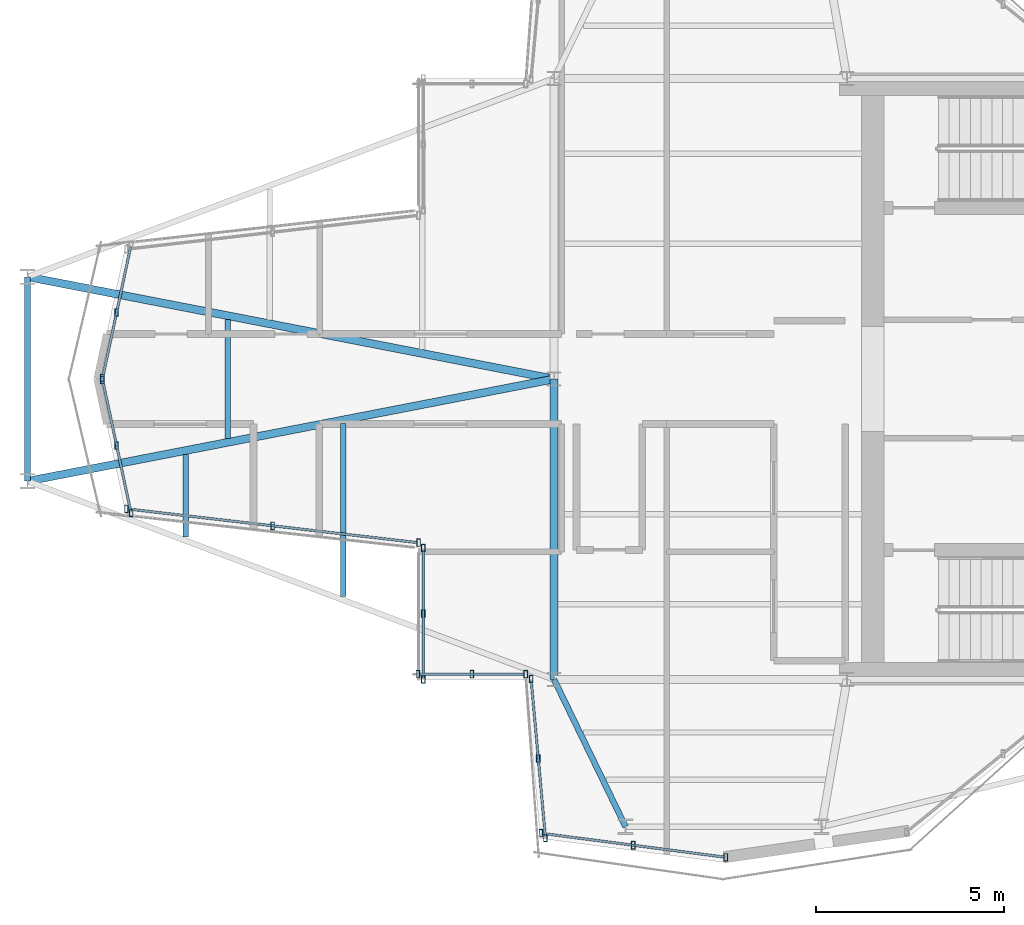
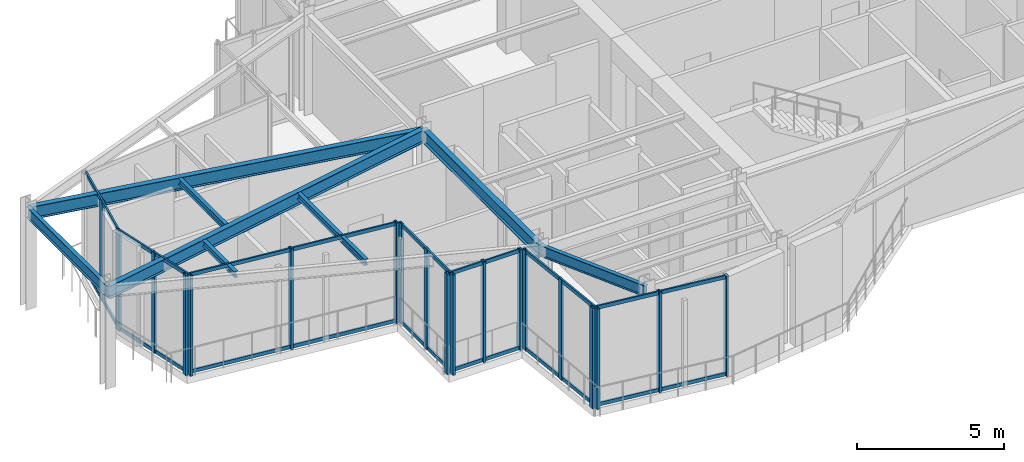
# One storey, part 2 of 14: 34 members, 8 beams, 7 elements without a shape of their own.
"""IFC4 building model written with IfcOpenShell, lengths in metres."""

from ifc_helpers import new_model, si_unit, direction, frame, origin, origin_2d, place, context, subcontext, project, spatial, hollow_rectangle, i_section, extrude, material, layer, layer_set, material_profile, profile_set, type_object, element, aggregate, save


model = new_model("IFC4")

# Units and contexts
model_context = context("Model", 3, precision=1e-05, world=origin(), true_north=direction((0.0, 1.0)))
body_context = subcontext(model_context, "Body", "Model", "MODEL_VIEW")
ifc_project = project(units=[si_unit("LENGTHUNIT", "METRE"), si_unit("AREAUNIT", "SQUARE_METRE"), si_unit("VOLUMEUNIT", "CUBIC_METRE"), si_unit("PLANEANGLEUNIT", "RADIAN"), si_unit("MASSUNIT", "GRAM", prefix="KILO")], contexts=[model_context])

# Site, building, storey
site_placement = place(None, origin())
site = spatial("IfcSite", under=ifc_project, at=site_placement, CompositionType="ELEMENT")
building_placement = place(site_placement, origin())
building = spatial("IfcBuilding", under=site, at=building_placement, Name="Veymaron Broadcast Tower", CompositionType="ELEMENT")
storey_placement = place(building_placement, frame((0.0, 0.0, 332.39990234375)))
storey = spatial("IfcBuildingStorey", under=building, at=storey_placement, Name="L78", CompositionType="ELEMENT", Elevation=332.39990234375)

# Beams
ifc_material_1 = material(Name="Structural steel ASTM A992 Gr 50", Category="steel")
ifc_material_profile_1 = material_profile(ifc_material_1, i_section(OverallWidth=0.208984375, OverallDepth=0.528076171875, WebThickness=0.009521484375, FlangeThickness=0.01318359375, at=origin_2d()), Name="W530X82")
ifc_profile_set_1 = profile_set([ifc_material_profile_1], Name="Structural steel ASTM A992 Gr 50")
beam_type_1 = type_object("IfcBeamType", Name="BM-FG4", PredefinedType="BEAM", material=ifc_profile_set_1)
beam_1_placement = place(storey_placement, frame((31.199951171875, 16.0, 3.916015625), z_axis=(0.0, 1.0, 0.0), x_axis=(-1.0, 0.0, 0.0)))
element("IfcBeam", 1, at=beam_1_placement, inside=storey, type_object=beam_type_1, Name="L78 primary structural floor girder", PredefinedType="BEAM", context=body_context, shape_type="SweptSolid", body=[
    extrude(i_section(OverallWidth=0.208984375, OverallDepth=0.528076171875, WebThickness=0.009521484375, FlangeThickness=0.01318359375, at=origin_2d()), origin(), (0.0, 0.0, 1.0), 8.0),
])
for number, where, z_axis, x_axis, name in (
    (2, (17.18408203125, 21.280029296875, 3.916015625), (0.981685363046, 0.190509443288, 0.0), (-0.190509443288, 0.981685363046, 0.0), "L78 primary structural floor girder"),
    (3, (17.18408203125, 26.719970703125, 3.916015625), (0.981685363046, -0.190509443288, 0.0), (0.190509443288, 0.981685363046, 0.0), "L78 primary structural floor girder"),
):
    element("IfcBeam", number, at=place(storey_placement, frame(where, z_axis=z_axis, x_axis=x_axis)), inside=storey, type_object=beam_type_1, Name=name, PredefinedType="BEAM", context=body_context, shape_type="SweptSolid", body=[
        extrude(i_section(OverallWidth=0.208984375, OverallDepth=0.528076171875, WebThickness=0.009521484375, FlangeThickness=0.01318359375, at=origin_2d()), origin(), (0.0, 0.0, 1.0), 14.27734375),
    ])
ifc_material_profile_2 = material_profile(ifc_material_1, i_section(OverallWidth=0.14599609375, OverallDepth=0.258056640625, WebThickness=0.006103515625, FlangeThickness=0.009033203125, at=origin_2d()), Name="W250X33")
ifc_profile_set_2 = profile_set([ifc_material_profile_2], Name="Structural steel ASTM A992 Gr 50")
beam_type_2 = type_object("IfcBeamType", Name="BM-JS4", PredefinedType="JOIST", material=ifc_profile_set_2)
beam_2_placement = place(storey_placement, frame((21.388916015625, 19.7958984375, 4.051025390625), z_axis=(0.0, 1.0, 0.0), x_axis=(-1.0, 0.0, 0.0)))
element("IfcBeam", 4, at=beam_2_placement, inside=storey, type_object=beam_type_2, Name="L78 Arm-A secondary joist 1S", PredefinedType="JOIST", context=body_context, shape_type="SweptSolid", body=[
    extrude(i_section(OverallWidth=0.14599609375, OverallDepth=0.258056640625, WebThickness=0.006103515625, FlangeThickness=0.009033203125, at=origin_2d()), origin(), (0.0, 0.0, 1.0), 2.2001953125),
])
beam_3_placement = place(storey_placement, frame((22.510009765625, 22.41357421875, 4.051025390625), z_axis=(0.0, 1.0, 0.0), x_axis=(-1.0, 0.0, 0.0)))
element("IfcBeam", 5, at=beam_3_placement, inside=storey, type_object=beam_type_2, Name="L78 Arm-A secondary joist 1M", PredefinedType="JOIST", context=body_context, shape_type="SweptSolid", body=[
    extrude(i_section(OverallWidth=0.14599609375, OverallDepth=0.258056640625, WebThickness=0.006103515625, FlangeThickness=0.009033203125, at=origin_2d()), origin(), (0.0, 0.0, 1.0), 3.1728515625),
])
beam_4_placement = place(storey_placement, frame((25.593505859375, 18.2119140625, 4.051025390625), z_axis=(0.0, 1.0, 0.0), x_axis=(-1.0, 0.0, 0.0)))
element("IfcBeam", 6, at=beam_4_placement, inside=storey, type_object=beam_type_2, Name="L78 Arm-A secondary joist 2S", PredefinedType="JOIST", context=body_context, shape_type="SweptSolid", body=[
    extrude(i_section(OverallWidth=0.14599609375, OverallDepth=0.258056640625, WebThickness=0.006103515625, FlangeThickness=0.009033203125, at=origin_2d()), origin(), (0.0, 0.0, 1.0), 4.60009765625),
])
ifc_material_profile_3 = material_profile(ifc_material_1, i_section(OverallWidth=0.154052734375, OverallDepth=0.458984375, WebThickness=0.009033203125, FlangeThickness=0.015380859375, at=origin_2d()), Name="W460X68")
ifc_profile_set_3 = profile_set([ifc_material_profile_3], Name="Structural steel ASTM A992 Gr 50")
beam_type_3 = type_object("IfcBeamType", Name="BM-SP2", PredefinedType="SPANDREL", material=ifc_profile_set_3)
beam_5_placement = place(storey_placement, frame((17.18408203125, 21.280029296875, 3.95068359375), z_axis=(0.0, 1.0, 0.0), x_axis=(-1.0, 0.0, 0.0)))
element("IfcBeam", 7, at=beam_5_placement, inside=storey, type_object=beam_type_3, Name="L78 primary structural floor girder", PredefinedType="SPANDREL", context=body_context, shape_type="SweptSolid", body=[
    extrude(i_section(OverallWidth=0.154052734375, OverallDepth=0.458984375, WebThickness=0.009033203125, FlangeThickness=0.015380859375, at=origin_2d()), origin(), (0.0, 0.0, 1.0), 5.43994140625),
])
beam_6_placement = place(storey_placement, frame((31.199951171875, 16.0, 3.95068359375), z_axis=(0.436920799064, -0.899499980737, 0.0), x_axis=(0.899499980737, 0.436920799064, 0.0)))
element("IfcBeam", 8, at=beam_6_placement, inside=storey, type_object=beam_type_3, Name="L78 primary structural floor girder", PredefinedType="SPANDREL", context=body_context, shape_type="SweptSolid", body=[
    extrude(i_section(OverallWidth=0.154052734375, OverallDepth=0.458984375, WebThickness=0.009033203125, FlangeThickness=0.015380859375, at=origin_2d()), origin(), (0.0, 0.0, 1.0), 4.35791015625),
])

# Curtain wall, members
ifc_material_2 = material(Name="Anodised aluminium AA 6063-T6 and laminated low-E dark glass", Category="aluminium")
ifc_layer = layer(ifc_material_2, 0.179931640625)
ifc_layer_set = layer_set([ifc_layer], Name="Anodised aluminium AA 6063-T6 and laminated low-E dark glass")
curtain_wall_type = type_object("IfcCurtainWallType", Name="CW-SYS-07", PredefinedType="NOTDEFINED", material=ifc_layer_set)
curtain_wall_1_placement = place(storey_placement, origin())
curtain_wall_1 = element("IfcCurtainWall", 9, at=curtain_wall_1_placement, inside=storey, type_object=curtain_wall_type, Name="L78 dark-glass curtain wall CW-L78-E12-1", PredefinedType="NOTDEFINED")
ifc_material_3 = material(Name="Anodised aluminium AA 6063-T6", Category="aluminium")
ifc_material_profile_4 = material_profile(ifc_material_3, hollow_rectangle(XDim=0.10009765625, YDim=0.199951171875, WallThickness=0.010009765625, at=origin_2d()), Name="RHS200X100X10")
ifc_profile_set_4 = profile_set([ifc_material_profile_4], Name="Anodised aluminium AA 6063-T6")
member_type_1 = type_object("IfcMemberType", Name="CW-MUL-01", PredefinedType="MULLION", material=ifc_profile_set_4)
member_1_placement = place(storey_placement, frame((19.552978515625, 25.768310546875, 0.0), z_axis=(0.0, 0.0, 1.0), x_axis=(1.0, 0.0, 0.0)))
member_1 = element("IfcMember", 10, at=member_1_placement, type_object=member_type_1, Name="CW-L78-E12-1 mullion 1", PredefinedType="MULLION", context=body_context, shape_type="SweptSolid", body=[
    extrude(hollow_rectangle(XDim=0.10009765625, YDim=0.199951171875, WallThickness=0.010009765625, at=origin_2d()), origin(), (0.0, 0.0, 1.0), 4.18017578125),
])
member_2_placement = place(storey_placement, frame((19.1689453125, 23.970703125, 0.0), z_axis=(0.0, 0.0, 1.0), x_axis=(1.0, 0.0, 0.0)))
member_2 = element("IfcMember", 11, at=member_2_placement, type_object=member_type_1, Name="CW-L78-E12-1 mullion 2", PredefinedType="MULLION", context=body_context, shape_type="SweptSolid", body=[
    extrude(hollow_rectangle(XDim=0.10009765625, YDim=0.199951171875, WallThickness=0.010009765625, at=origin_2d()), origin(), (0.0, 0.0, 1.0), 4.18017578125),
])

curtain_wall_2_placement = place(storey_placement, origin())
curtain_wall_2 = element("IfcCurtainWall", 12, at=curtain_wall_2_placement, inside=storey, type_object=curtain_wall_type, Name="L78 dark-glass curtain wall CW-L78-E13-1", PredefinedType="NOTDEFINED")
member_3_placement = place(storey_placement, frame((19.1689453125, 24.029296875, 0.0), z_axis=(0.0, 0.0, 1.0), x_axis=(1.0, 0.0, 0.0)))
member_3 = element("IfcMember", 13, at=member_3_placement, type_object=member_type_1, Name="CW-L78-E13-1 mullion 0", PredefinedType="MULLION", context=body_context, shape_type="SweptSolid", body=[
    extrude(hollow_rectangle(XDim=0.10009765625, YDim=0.199951171875, WallThickness=0.010009765625, at=origin_2d()), origin(), (0.0, 0.0, 1.0), 4.18017578125),
])
member_4_placement = place(storey_placement, frame((19.552978515625, 22.231689453125, 0.0), z_axis=(0.0, 0.0, 1.0), x_axis=(1.0, 0.0, 0.0)))
member_4 = element("IfcMember", 14, at=member_4_placement, type_object=member_type_1, Name="CW-L78-E13-1 mullion 1", PredefinedType="MULLION", context=body_context, shape_type="SweptSolid", body=[
    extrude(hollow_rectangle(XDim=0.10009765625, YDim=0.199951171875, WallThickness=0.010009765625, at=origin_2d()), origin(), (0.0, 0.0, 1.0), 4.18017578125),
])
member_5_placement = place(storey_placement, frame((19.93701171875, 20.43408203125, 0.0), z_axis=(0.0, 0.0, 1.0), x_axis=(1.0, 0.0, 0.0)))
member_5 = element("IfcMember", 15, at=member_5_placement, type_object=member_type_1, Name="CW-L78-E13-1 mullion 2", PredefinedType="MULLION", context=body_context, shape_type="SweptSolid", body=[
    extrude(hollow_rectangle(XDim=0.10009765625, YDim=0.199951171875, WallThickness=0.010009765625, at=origin_2d()), origin(), (0.0, 0.0, 1.0), 4.18017578125),
])

curtain_wall_3_placement = place(storey_placement, origin())
curtain_wall_3 = element("IfcCurtainWall", 16, at=curtain_wall_3_placement, inside=storey, type_object=curtain_wall_type, Name="L78 dark-glass curtain wall CW-L78-E14-1", PredefinedType="NOTDEFINED")
member_6_placement = place(storey_placement, frame((19.816162109375, 20.5439453125, 0.0), z_axis=(0.0, 0.0, 1.0), x_axis=(1.0, 0.0, 0.0)))
member_6 = element("IfcMember", 17, at=member_6_placement, type_object=member_type_1, Name="CW-L78-E14-1 mullion 0", PredefinedType="MULLION", context=body_context, shape_type="SweptSolid", body=[
    extrude(hollow_rectangle(XDim=0.10009765625, YDim=0.199951171875, WallThickness=0.010009765625, at=origin_2d()), origin(), (0.0, 0.0, 1.0), 4.18017578125),
])
member_7_placement = place(storey_placement, frame((23.7041015625, 20.092529296875, 0.0), z_axis=(0.0, 0.0, 1.0), x_axis=(1.0, 0.0, 0.0)))
member_7 = element("IfcMember", 18, at=member_7_placement, type_object=member_type_1, Name="CW-L78-E14-1 mullion 1", PredefinedType="MULLION", context=body_context, shape_type="SweptSolid", body=[
    extrude(hollow_rectangle(XDim=0.10009765625, YDim=0.199951171875, WallThickness=0.010009765625, at=origin_2d()), origin(), (0.0, 0.0, 1.0), 4.18017578125),
])
member_8_placement = place(storey_placement, frame((27.592041015625, 19.64111328125, 0.0), z_axis=(0.0, 0.0, 1.0), x_axis=(1.0, 0.0, 0.0)))
member_8 = element("IfcMember", 19, at=member_8_placement, type_object=member_type_1, Name="CW-L78-E14-1 mullion 2", PredefinedType="MULLION", context=body_context, shape_type="SweptSolid", body=[
    extrude(hollow_rectangle(XDim=0.10009765625, YDim=0.199951171875, WallThickness=0.010009765625, at=origin_2d()), origin(), (0.0, 0.0, 1.0), 4.18017578125),
])

curtain_wall_4_placement = place(storey_placement, origin())
curtain_wall_4 = element("IfcCurtainWall", 20, at=curtain_wall_4_placement, inside=storey, type_object=curtain_wall_type, Name="L78 dark-glass curtain wall CW-L78-E15-1", PredefinedType="NOTDEFINED")
member_9_placement = place(storey_placement, frame((27.716064453125, 19.501953125, 0.0), z_axis=(0.0, 0.0, 1.0), x_axis=(1.0, 0.0, 0.0)))
member_9 = element("IfcMember", 21, at=member_9_placement, type_object=member_type_1, Name="CW-L78-E15-1 mullion 0", PredefinedType="MULLION", context=body_context, shape_type="SweptSolid", body=[
    extrude(hollow_rectangle(XDim=0.10009765625, YDim=0.199951171875, WallThickness=0.010009765625, at=origin_2d()), origin(), (0.0, 0.0, 1.0), 4.18017578125),
])
member_10_placement = place(storey_placement, frame((27.716064453125, 17.7509765625, 0.0), z_axis=(0.0, 0.0, 1.0), x_axis=(1.0, 0.0, 0.0)))
member_10 = element("IfcMember", 22, at=member_10_placement, type_object=member_type_1, Name="CW-L78-E15-1 mullion 1", PredefinedType="MULLION", context=body_context, shape_type="SweptSolid", body=[
    extrude(hollow_rectangle(XDim=0.10009765625, YDim=0.199951171875, WallThickness=0.010009765625, at=origin_2d()), origin(), (0.0, 0.0, 1.0), 4.18017578125),
])
member_11_placement = place(storey_placement, frame((27.716064453125, 16.0, 0.0), z_axis=(0.0, 0.0, 1.0), x_axis=(1.0, 0.0, 0.0)))
member_11 = element("IfcMember", 23, at=member_11_placement, type_object=member_type_1, Name="CW-L78-E15-1 mullion 2", PredefinedType="MULLION", context=body_context, shape_type="SweptSolid", body=[
    extrude(hollow_rectangle(XDim=0.10009765625, YDim=0.199951171875, WallThickness=0.010009765625, at=origin_2d()), origin(), (0.0, 0.0, 1.0), 4.18017578125),
])

curtain_wall_5_placement = place(storey_placement, origin())
curtain_wall_5 = element("IfcCurtainWall", 24, at=curtain_wall_5_placement, inside=storey, type_object=curtain_wall_type, Name="L78 dark-glass curtain wall CW-L78-E16-1", PredefinedType="NOTDEFINED")
member_12_placement = place(storey_placement, frame((27.575927734375, 16.139892578125, 0.0), z_axis=(0.0, 0.0, 1.0), x_axis=(1.0, 0.0, 0.0)))
member_12 = element("IfcMember", 25, at=member_12_placement, type_object=member_type_1, Name="CW-L78-E16-1 mullion 0", PredefinedType="MULLION", context=body_context, shape_type="SweptSolid", body=[
    extrude(hollow_rectangle(XDim=0.10009765625, YDim=0.199951171875, WallThickness=0.010009765625, at=origin_2d()), origin(), (0.0, 0.0, 1.0), 4.18017578125),
])
member_13_placement = place(storey_placement, frame((29.01220703125, 16.139892578125, 0.0), z_axis=(0.0, 0.0, 1.0), x_axis=(1.0, 0.0, 0.0)))
member_13 = element("IfcMember", 26, at=member_13_placement, type_object=member_type_1, Name="CW-L78-E16-1 mullion 1", PredefinedType="MULLION", context=body_context, shape_type="SweptSolid", body=[
    extrude(hollow_rectangle(XDim=0.10009765625, YDim=0.199951171875, WallThickness=0.010009765625, at=origin_2d()), origin(), (0.0, 0.0, 1.0), 4.18017578125),
])
member_14_placement = place(storey_placement, frame((30.448486328125, 16.139892578125, 0.0), z_axis=(0.0, 0.0, 1.0), x_axis=(1.0, 0.0, 0.0)))
member_14 = element("IfcMember", 27, at=member_14_placement, type_object=member_type_1, Name="CW-L78-E16-1 mullion 2", PredefinedType="MULLION", context=body_context, shape_type="SweptSolid", body=[
    extrude(hollow_rectangle(XDim=0.10009765625, YDim=0.199951171875, WallThickness=0.010009765625, at=origin_2d()), origin(), (0.0, 0.0, 1.0), 4.18017578125),
])

curtain_wall_6_placement = place(storey_placement, origin())
curtain_wall_6 = element("IfcCurtainWall", 28, at=curtain_wall_6_placement, inside=storey, type_object=curtain_wall_type, Name="L78 dark-glass curtain wall CW-L78-E17-1", PredefinedType="NOTDEFINED")
member_15_placement = place(storey_placement, frame((30.587890625, 16.0126953125, 0.0), z_axis=(0.0, 0.0, 1.0), x_axis=(1.0, 0.0, 0.0)))
member_15 = element("IfcMember", 29, at=member_15_placement, type_object=member_type_1, Name="CW-L78-E17-1 mullion 0", PredefinedType="MULLION", context=body_context, shape_type="SweptSolid", body=[
    extrude(hollow_rectangle(XDim=0.10009765625, YDim=0.199951171875, WallThickness=0.010009765625, at=origin_2d()), origin(), (0.0, 0.0, 1.0), 4.18017578125),
])
member_16_placement = place(storey_placement, frame((30.77978515625, 13.896484375, 0.0), z_axis=(0.0, 0.0, 1.0), x_axis=(1.0, 0.0, 0.0)))
member_16 = element("IfcMember", 30, at=member_16_placement, type_object=member_type_1, Name="CW-L78-E17-1 mullion 1", PredefinedType="MULLION", context=body_context, shape_type="SweptSolid", body=[
    extrude(hollow_rectangle(XDim=0.10009765625, YDim=0.199951171875, WallThickness=0.010009765625, at=origin_2d()), origin(), (0.0, 0.0, 1.0), 4.18017578125),
])
member_17_placement = place(storey_placement, frame((30.9716796875, 11.780517578125, 0.0), z_axis=(0.0, 0.0, 1.0), x_axis=(1.0, 0.0, 0.0)))
member_17 = element("IfcMember", 31, at=member_17_placement, type_object=member_type_1, Name="CW-L78-E17-1 mullion 2", PredefinedType="MULLION", context=body_context, shape_type="SweptSolid", body=[
    extrude(hollow_rectangle(XDim=0.10009765625, YDim=0.199951171875, WallThickness=0.010009765625, at=origin_2d()), origin(), (0.0, 0.0, 1.0), 4.18017578125),
])

curtain_wall_7_placement = place(storey_placement, origin())
curtain_wall_7 = element("IfcCurtainWall", 32, at=curtain_wall_7_placement, inside=storey, type_object=curtain_wall_type, Name="L78 dark-glass curtain wall CW-L78-E18-1", PredefinedType="NOTDEFINED")
member_18_placement = place(storey_placement, frame((30.8505859375, 11.90673828125, 0.0), z_axis=(0.0, 0.0, 1.0), x_axis=(1.0, 0.0, 0.0)))
member_18 = element("IfcMember", 33, at=member_18_placement, type_object=member_type_1, Name="CW-L78-E18-1 mullion 0", PredefinedType="MULLION", context=body_context, shape_type="SweptSolid", body=[
    extrude(hollow_rectangle(XDim=0.10009765625, YDim=0.199951171875, WallThickness=0.010009765625, at=origin_2d()), origin(), (0.0, 0.0, 1.0), 4.18017578125),
])
member_19_placement = place(storey_placement, frame((33.310302734375, 11.5869140625, 0.0), z_axis=(0.0, 0.0, 1.0), x_axis=(1.0, 0.0, 0.0)))
member_19 = element("IfcMember", 34, at=member_19_placement, type_object=member_type_1, Name="CW-L78-E18-1 mullion 1", PredefinedType="MULLION", context=body_context, shape_type="SweptSolid", body=[
    extrude(hollow_rectangle(XDim=0.10009765625, YDim=0.199951171875, WallThickness=0.010009765625, at=origin_2d()), origin(), (0.0, 0.0, 1.0), 4.18017578125),
])
member_20_placement = place(storey_placement, frame((35.77001953125, 11.266845703125, 0.0), z_axis=(0.0, 0.0, 1.0), x_axis=(1.0, 0.0, 0.0)))
member_20 = element("IfcMember", 35, at=member_20_placement, type_object=member_type_1, Name="CW-L78-E18-1 mullion 2", PredefinedType="MULLION", context=body_context, shape_type="SweptSolid", body=[
    extrude(hollow_rectangle(XDim=0.10009765625, YDim=0.199951171875, WallThickness=0.010009765625, at=origin_2d()), origin(), (0.0, 0.0, 1.0), 4.18017578125),
])

# Member
ifc_material_profile_5 = material_profile(ifc_material_3, hollow_rectangle(XDim=0.06494140625, YDim=0.14990234375, WallThickness=0.00390625, at=origin_2d()), Name="AL150X65X4")
ifc_profile_set_5 = profile_set([ifc_material_profile_5], Name="Anodised aluminium AA 6063-T6")
member_type_2 = type_object("IfcMemberType", Name="CW-TRN-01", PredefinedType="USERDEFINED", material=ifc_profile_set_5)
member_21_placement = place(storey_placement, frame((19.926513671875, 27.51708984375, 0.070068359375), z_axis=(-0.208964936281, -0.97792313369, 0.0), x_axis=(0.97792313369, -0.208964936281, 0.0)))
member_21 = element("IfcMember", 36, at=member_21_placement, type_object=member_type_2, Name="CW-L78-E12-1 transom B", ObjectType="TRANSOM", PredefinedType="USERDEFINED", context=body_context, shape_type="SweptSolid", body=[
    extrude(hollow_rectangle(XDim=0.06494140625, YDim=0.14990234375, WallThickness=0.00390625, at=origin_2d()), origin(), (0.0, 0.0, 1.0), 3.576171875),
])

member_22_placement = place(storey_placement, frame((19.926513671875, 27.51708984375, 4.110107421875), z_axis=(-0.208964936281, -0.97792313369, 0.0), x_axis=(0.97792313369, -0.208964936281, 0.0)))
member_22 = element("IfcMember", 37, at=member_22_placement, type_object=member_type_2, Name="CW-L78-E12-1 transom T", ObjectType="TRANSOM", PredefinedType="USERDEFINED", context=body_context, shape_type="SweptSolid", body=[
    extrude(hollow_rectangle(XDim=0.06494140625, YDim=0.14990234375, WallThickness=0.00390625, at=origin_2d()), origin(), (0.0, 0.0, 1.0), 3.576171875),
])

aggregate(curtain_wall_1, [member_1, member_2, member_21, member_22])

member_23_placement = place(storey_placement, frame((19.17919921875, 23.980224609375, 0.070068359375), z_axis=(0.208964936281, -0.97792313369, 0.0), x_axis=(0.97792313369, 0.208964936281, 0.0)))
member_23 = element("IfcMember", 38, at=member_23_placement, type_object=member_type_2, Name="CW-L78-E13-1 transom B", ObjectType="TRANSOM", PredefinedType="USERDEFINED", context=body_context, shape_type="SweptSolid", body=[
    extrude(hollow_rectangle(XDim=0.06494140625, YDim=0.14990234375, WallThickness=0.00390625, at=origin_2d()), origin(), (0.0, 0.0, 1.0), 3.576171875),
])

member_24_placement = place(storey_placement, frame((19.17919921875, 23.980224609375, 4.110107421875), z_axis=(0.208964936281, -0.97792313369, 0.0), x_axis=(0.97792313369, 0.208964936281, 0.0)))
member_24 = element("IfcMember", 39, at=member_24_placement, type_object=member_type_2, Name="CW-L78-E13-1 transom T", ObjectType="TRANSOM", PredefinedType="USERDEFINED", context=body_context, shape_type="SweptSolid", body=[
    extrude(hollow_rectangle(XDim=0.06494140625, YDim=0.14990234375, WallThickness=0.00390625, at=origin_2d()), origin(), (0.0, 0.0, 1.0), 3.576171875),
])

aggregate(curtain_wall_2, [member_3, member_4, member_5, member_23, member_24])

member_25_placement = place(storey_placement, frame((19.86572265625, 20.5380859375, 0.070068359375), z_axis=(0.99332649956, -0.115336313761, 0.0), x_axis=(0.115336313761, 0.99332649956, 0.0)))
member_25 = element("IfcMember", 40, at=member_25_placement, type_object=member_type_2, Name="CW-L78-E14-1 transom B", ObjectType="TRANSOM", PredefinedType="USERDEFINED", context=body_context, shape_type="SweptSolid", body=[
    extrude(hollow_rectangle(XDim=0.06494140625, YDim=0.14990234375, WallThickness=0.00390625, at=origin_2d()), origin(), (0.0, 0.0, 1.0), 7.728271484375),
])

member_26_placement = place(storey_placement, frame((19.86572265625, 20.5380859375, 4.110107421875), z_axis=(0.99332649956, -0.115336313761, 0.0), x_axis=(0.115336313761, 0.99332649956, 0.0)))
member_26 = element("IfcMember", 41, at=member_26_placement, type_object=member_type_2, Name="CW-L78-E14-1 transom T", ObjectType="TRANSOM", PredefinedType="USERDEFINED", context=body_context, shape_type="SweptSolid", body=[
    extrude(hollow_rectangle(XDim=0.06494140625, YDim=0.14990234375, WallThickness=0.00390625, at=origin_2d()), origin(), (0.0, 0.0, 1.0), 7.728271484375),
])

aggregate(curtain_wall_3, [member_6, member_7, member_8, member_25, member_26])

member_27_placement = place(storey_placement, frame((27.716064453125, 19.451904296875, 0.070068359375), z_axis=(0.0, -1.0, 0.0), x_axis=(1.0, 0.0, 0.0)))
member_27 = element("IfcMember", 42, at=member_27_placement, type_object=member_type_2, Name="CW-L78-E15-1 transom B", ObjectType="TRANSOM", PredefinedType="USERDEFINED", context=body_context, shape_type="SweptSolid", body=[
    extrude(hollow_rectangle(XDim=0.06494140625, YDim=0.14990234375, WallThickness=0.00390625, at=origin_2d()), origin(), (0.0, 0.0, 1.0), 3.40185546875),
])

member_28_placement = place(storey_placement, frame((27.716064453125, 19.451904296875, 4.110107421875), z_axis=(0.0, -1.0, 0.0), x_axis=(1.0, 0.0, 0.0)))
member_28 = element("IfcMember", 43, at=member_28_placement, type_object=member_type_2, Name="CW-L78-E15-1 transom T", ObjectType="TRANSOM", PredefinedType="USERDEFINED", context=body_context, shape_type="SweptSolid", body=[
    extrude(hollow_rectangle(XDim=0.06494140625, YDim=0.14990234375, WallThickness=0.00390625, at=origin_2d()), origin(), (0.0, 0.0, 1.0), 3.40185546875),
])

aggregate(curtain_wall_4, [member_9, member_10, member_11, member_27, member_28])

member_29_placement = place(storey_placement, frame((27.6259765625, 16.139892578125, 0.070068359375), z_axis=(1.0, 0.0, 0.0), x_axis=(0.0, 1.0, 0.0)))
member_29 = element("IfcMember", 44, at=member_29_placement, type_object=member_type_2, Name="CW-L78-E16-1 transom B", ObjectType="TRANSOM", PredefinedType="USERDEFINED", context=body_context, shape_type="SweptSolid", body=[
    extrude(hollow_rectangle(XDim=0.06494140625, YDim=0.14990234375, WallThickness=0.00390625, at=origin_2d()), origin(), (0.0, 0.0, 1.0), 2.772705078125),
])

member_30_placement = place(storey_placement, frame((27.6259765625, 16.139892578125, 4.110107421875), z_axis=(1.0, 0.0, 0.0), x_axis=(0.0, 1.0, 0.0)))
member_30 = element("IfcMember", 45, at=member_30_placement, type_object=member_type_2, Name="CW-L78-E16-1 transom T", ObjectType="TRANSOM", PredefinedType="USERDEFINED", context=body_context, shape_type="SweptSolid", body=[
    extrude(hollow_rectangle(XDim=0.06494140625, YDim=0.14990234375, WallThickness=0.00390625, at=origin_2d()), origin(), (0.0, 0.0, 1.0), 2.772705078125),
])

aggregate(curtain_wall_5, [member_12, member_13, member_14, member_29, member_30])

member_31_placement = place(storey_placement, frame((30.592529296875, 15.962890625, 0.070068359375), z_axis=(0.090312939387, -0.995913436489, 0.0), x_axis=(0.995913436489, 0.090312939387, 0.0)))
member_31 = element("IfcMember", 46, at=member_31_placement, type_object=member_type_2, Name="CW-L78-E17-1 transom B", ObjectType="TRANSOM", PredefinedType="USERDEFINED", context=body_context, shape_type="SweptSolid", body=[
    extrude(hollow_rectangle(XDim=0.06494140625, YDim=0.14990234375, WallThickness=0.00390625, at=origin_2d()), origin(), (0.0, 0.0, 1.0), 4.1494140625),
])

member_32_placement = place(storey_placement, frame((30.592529296875, 15.962890625, 4.110107421875), z_axis=(0.090312939387, -0.995913436489, 0.0), x_axis=(0.995913436489, 0.090312939387, 0.0)))
member_32 = element("IfcMember", 47, at=member_32_placement, type_object=member_type_2, Name="CW-L78-E17-1 transom T", ObjectType="TRANSOM", PredefinedType="USERDEFINED", context=body_context, shape_type="SweptSolid", body=[
    extrude(hollow_rectangle(XDim=0.06494140625, YDim=0.14990234375, WallThickness=0.00390625, at=origin_2d()), origin(), (0.0, 0.0, 1.0), 4.1494140625),
])

aggregate(curtain_wall_6, [member_15, member_16, member_17, member_31, member_32])

member_33_placement = place(storey_placement, frame((30.900146484375, 11.900390625, 0.070068359375), z_axis=(0.991640971684, -0.129027839154, 0.0), x_axis=(0.129027839154, 0.991640971684, 0.0)))
member_33 = element("IfcMember", 48, at=member_33_placement, type_object=member_type_2, Name="CW-L78-E18-1 transom B", ObjectType="TRANSOM", PredefinedType="USERDEFINED", context=body_context, shape_type="SweptSolid", body=[
    extrude(hollow_rectangle(XDim=0.06494140625, YDim=0.14990234375, WallThickness=0.00390625, at=origin_2d()), origin(), (0.0, 0.0, 1.0), 4.86083984375),
])

member_34_placement = place(storey_placement, frame((30.900146484375, 11.900390625, 4.110107421875), z_axis=(0.991640971684, -0.129027839154, 0.0), x_axis=(0.129027839154, 0.991640971684, 0.0)))
member_34 = element("IfcMember", 49, at=member_34_placement, type_object=member_type_2, Name="CW-L78-E18-1 transom T", ObjectType="TRANSOM", PredefinedType="USERDEFINED", context=body_context, shape_type="SweptSolid", body=[
    extrude(hollow_rectangle(XDim=0.06494140625, YDim=0.14990234375, WallThickness=0.00390625, at=origin_2d()), origin(), (0.0, 0.0, 1.0), 4.86083984375),
])

aggregate(curtain_wall_7, [member_18, member_19, member_20, member_33, member_34])

save(model, "model.ifc")
